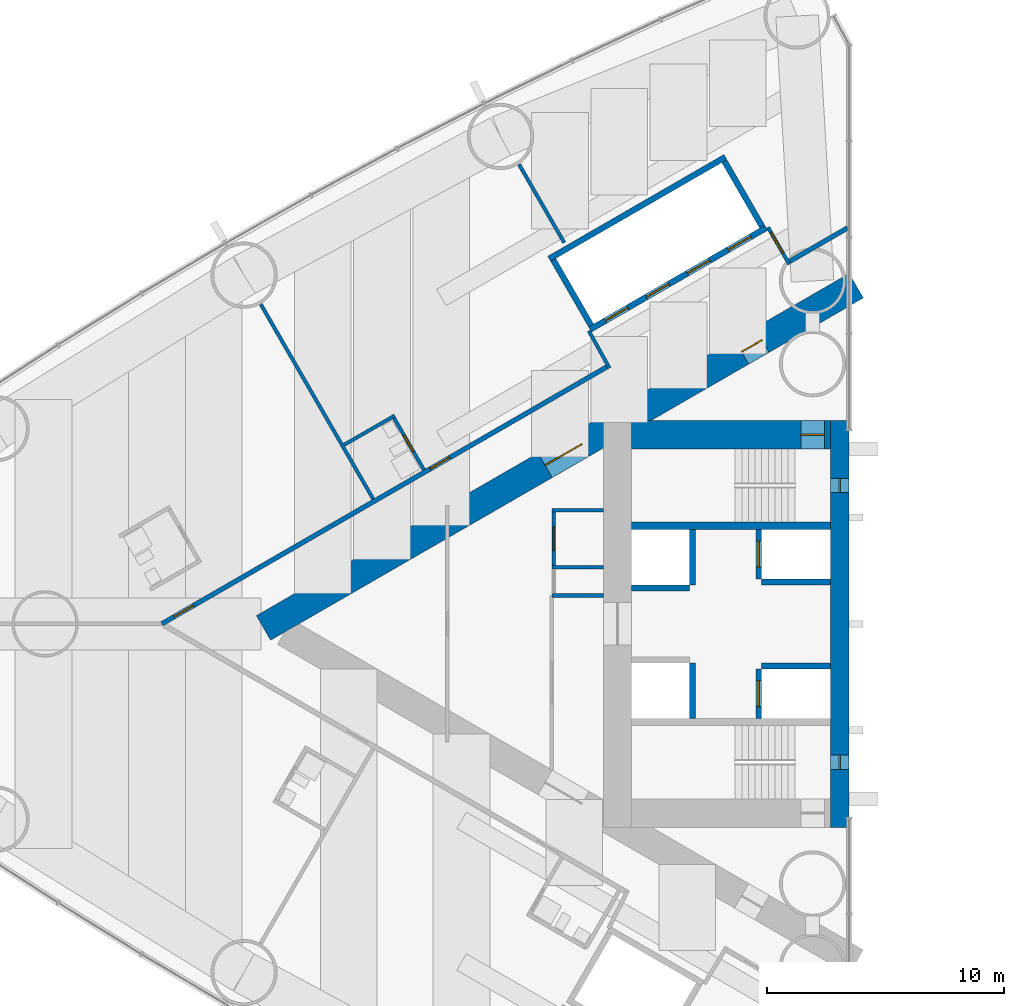
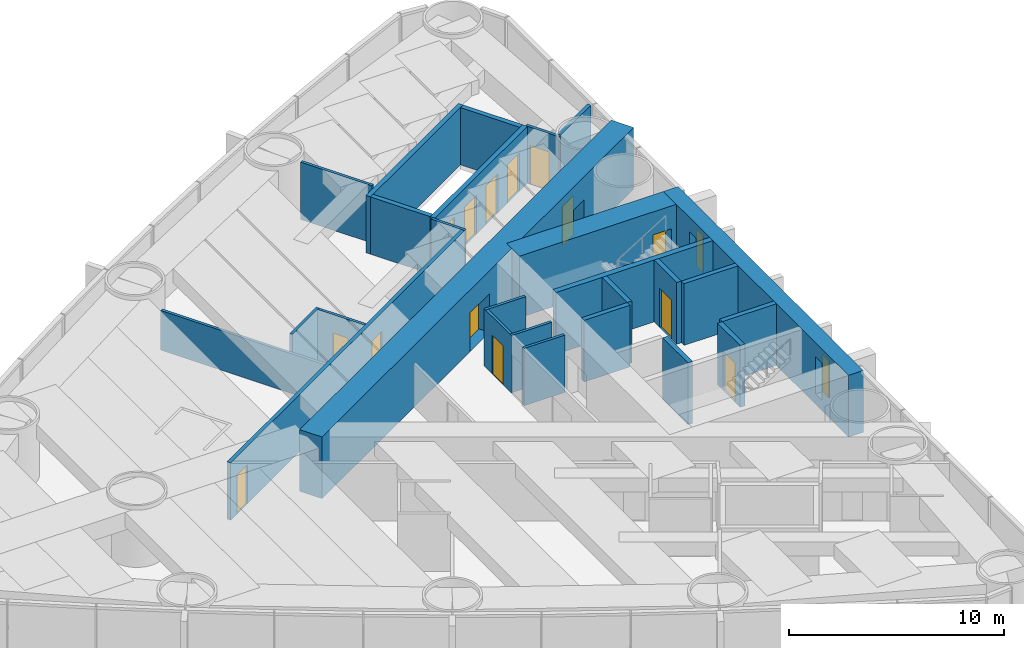
# One storey, part 12 of 18: 27 walls, 14 doors, 2 windows, 16 openings.
"""IFC4 building model written with IfcOpenShell, lengths in metres."""

from ifc_helpers import new_model, si_unit, direction, frame, frame_2d, origin, place, context, subcontext, project, spatial, rectangle, extrude, material, layer, layer_set, type_object, element, fill, save


model = new_model("IFC4")

# Units and contexts
model_context = context("Model", 3, precision=1e-05, world=origin(), true_north=direction((0.0, 1.0)))
body_context = subcontext(model_context, "Body", "Model", "MODEL_VIEW")
ifc_project = project(units=[si_unit("LENGTHUNIT", "METRE"), si_unit("AREAUNIT", "SQUARE_METRE"), si_unit("VOLUMEUNIT", "CUBIC_METRE"), si_unit("PLANEANGLEUNIT", "RADIAN"), si_unit("MASSUNIT", "GRAM", prefix="KILO")], contexts=[model_context])

# Site, building, storey
site_placement = place(None, origin())
site = spatial("IfcSite", under=ifc_project, at=site_placement, CompositionType="ELEMENT")
building_placement = place(site_placement, origin())
building = spatial("IfcBuilding", under=site, at=building_placement, Name="Lancet Gate Hotel", CompositionType="ELEMENT")
storey_placement = place(building_placement, frame((0.0, 0.0, 56.5)))
storey = spatial("IfcBuildingStorey", under=building, at=storey_placement, Name="L14", CompositionType="ELEMENT", Elevation=56.5)

# Wall
ifc_material_1 = material(Name="Moisture resistant board partition")
ifc_layer_1 = layer(ifc_material_1, 0.14990234375)
ifc_layer_set_1 = layer_set([ifc_layer_1], Name="Bathroom wall 150")
wall_type_1 = type_object("IfcWallType", Name="Bathroom wall 150", PredefinedType="PARTITIONING", material=ifc_layer_set_1)
wall_1_placement = place(storey_placement, frame((-46.718505859375, 8.804443359375, 0.0), z_axis=(0.0, 0.0, 1.0), x_axis=(-0.866006523861, -0.500032699561, 0.0)))
element("IfcWall", 1, at=wall_1_placement, inside=storey, type_object=wall_type_1, Name="T1 bathroom wall 150 L14", PredefinedType="PARTITIONING", context=body_context, shape_type="SweptSolid", body=[
    extrude(rectangle(XDim=2.474853515625, YDim=0.14990234375, at=frame_2d((1.2373046875, 0.0))), origin(), (0.0, 0.0, 1.0), 3.25),
])

# Wall, opening, door
wall_2_placement = place(storey_placement, frame((-45.4833984375, 6.515380859375, 0.0), z_axis=(0.0, 0.0, 1.0), x_axis=(-0.500006934395, 0.866021400173, 0.0)))
wall_2 = element("IfcWall", 2, at=wall_2_placement, inside=storey, type_object=wall_type_1, Name="T1 bathroom wall 150 L14", PredefinedType="PARTITIONING", context=body_context, shape_type="SweptSolid", body=[
    extrude(rectangle(XDim=2.60009765625, YDim=0.14990234375, at=frame_2d((1.300048828125, 0.0))), origin(), (0.0, 0.0, 1.0), 3.25),
])
opening_1_placement = place(wall_2_placement, frame((0.89990234375, 0.0, 0.0)))
opening_1 = element("IfcOpeningElement", 3, at=opening_1_placement, cuts=wall_2, Name="Opening 1402-B", PredefinedType="OPENING", context=body_context, shape_type="SweptSolid", body=[
    extrude(rectangle(XDim=0.800048828125, YDim=2.199951171875, at=frame_2d((0.39990234375, 1.10009765625))), frame((0.0, 0.0849609375, 0.0), z_axis=(0.0, -1.0, 0.0), x_axis=(1.0, 0.0, 0.0)), (0.0, 0.0, 1.0), 0.169921875),
])
ifc_material_2 = material(Name="Timber door set", Category="wood")
door_type_1 = type_object("IfcDoorType", Name="Bathroom door 800", OperationType="SINGLE_SWING_RIGHT", PredefinedType="DOOR", material=ifc_material_2)
door_1_placement = place(opening_1_placement, origin())
door_1 = element("IfcDoor", 4, at=door_1_placement, inside=storey, type_object=door_type_1, Name="1402-B", OperationType="SINGLE_SWING_RIGHT", OverallHeight=2.199951171875, OverallWidth=0.800048828125, PredefinedType="DOOR", context=body_context, shape_type="SweptSolid", body=[
    extrude(rectangle(XDim=0.800048828125, YDim=2.199951171875, at=frame_2d((0.39990234375, 1.10009765625))), frame((0.0, 0.02490234375, 0.0), z_axis=(0.0, -1.0, 0.0), x_axis=(1.0, 0.0, 0.0)), (0.0, 0.0, 1.0), 0.050048828125),
])
fill(opening_1, door_1)

# Wall, openings, doors
ifc_material_3 = material(Name="Concrete C70/85", Category="concrete")
ifc_layer_2 = layer(ifc_material_3, 1.199951171875)
ifc_layer_set_2 = layer_set([ifc_layer_2], Name="Buttress wall 1200")
wall_type_2 = type_object("IfcWallType", Name="Buttress wall 1200", PredefinedType="SHEAR", material=ifc_layer_set_2)
wall_3_placement = place(storey_placement, frame((-27.199951171875, 14.300048828125, 0.0), z_axis=(0.0, 0.0, 1.0), x_axis=(-0.866026593062, -0.499997940104, 0.0)))
wall_3 = element("IfcWall", 5, at=wall_3_placement, inside=storey, type_object=wall_type_2, Name="T1 buttress wall S L14", PredefinedType="SHEAR", context=body_context, shape_type="SweptSolid", body=[
    extrude(rectangle(XDim=28.9462890625, YDim=1.199951171875, at=frame_2d((14.47314453125, 0.0))), origin(), (0.0, 0.0, 1.0), 3.5),
])
opening_2_placement = place(wall_3_placement, frame((4.60009765625, 0.0, 0.0)))
opening_2 = element("IfcOpeningElement", 6, at=opening_2_placement, cuts=wall_3, Name="Opening T1-L14-LS", PredefinedType="OPENING", context=body_context, shape_type="SweptSolid", body=[
    extrude(rectangle(XDim=1.0, YDim=2.199951171875, at=frame_2d((0.5, 1.10009765625))), frame((0.0, 0.60986328125, 0.0), z_axis=(0.0, -1.0, 0.0), x_axis=(1.0, 0.0, 0.0)), (0.0, 0.0, 1.0), 1.219970703125),
])
opening_3_placement = place(wall_3_placement, frame((13.39453125, 0.0, 0.0)))
opening_3 = element("IfcOpeningElement", 7, at=opening_3_placement, cuts=wall_3, Name="Opening T1-L14-LHS", PredefinedType="OPENING", context=body_context, shape_type="SweptSolid", body=[
    extrude(rectangle(XDim=1.800048828125, YDim=2.199951171875, at=frame_2d((0.89990234375, 1.10009765625))), frame((0.0, 0.60986328125, 0.0), z_axis=(0.0, -1.0, 0.0), x_axis=(1.0, 0.0, 0.0)), (0.0, 0.0, 1.0), 1.219970703125),
])
ifc_material_4 = material(Name="Timber door set", Category="wood")
door_type_2 = type_object("IfcDoorType", Name="Lobby double door 1800", OperationType="DOUBLE_DOOR_SINGLE_SWING", PredefinedType="DOOR", material=ifc_material_4)
door_2_placement = place(opening_3_placement, origin())
door_2 = element("IfcDoor", 8, at=door_2_placement, inside=storey, type_object=door_type_2, Name="T1-L14-LHS", OperationType="DOUBLE_DOOR_SINGLE_SWING", OverallHeight=2.199951171875, OverallWidth=1.800048828125, PredefinedType="DOOR", context=body_context, shape_type="SweptSolid", body=[
    extrude(rectangle(XDim=1.800048828125, YDim=2.199951171875, at=frame_2d((0.89990234375, 1.10009765625))), frame((0.0, 0.02490234375, 0.0), z_axis=(0.0, -1.0, 0.0), x_axis=(1.0, 0.0, 0.0)), (0.0, 0.0, 1.0), 0.050048828125),
])
fill(opening_3, door_2)
ifc_material_5 = material(Name="Timber door set", Category="wood")
door_type_3 = type_object("IfcDoorType", Name="Stair lobby door 1000", OperationType="SINGLE_SWING_LEFT", PredefinedType="DOOR", material=ifc_material_5)
door_3_placement = place(opening_2_placement, origin())
door_3 = element("IfcDoor", 9, at=door_3_placement, inside=storey, type_object=door_type_3, Name="T1-L14-LS", OperationType="SINGLE_SWING_LEFT", OverallHeight=2.199951171875, OverallWidth=1.0, PredefinedType="DOOR", context=body_context, shape_type="SweptSolid", body=[
    extrude(rectangle(XDim=1.0, YDim=2.199951171875, at=frame_2d((0.5, 1.10009765625))), frame((0.0, 0.02490234375, 0.0), z_axis=(0.0, -1.0, 0.0), x_axis=(1.0, 0.0, 0.0)), (0.0, 0.0, 1.0), 0.050048828125),
])
fill(opening_2, door_3)

# Wall, opening, door
ifc_material_6 = material(Name="Concrete C70/85", Category="concrete")
ifc_layer_3 = layer(ifc_material_6, 1.199951171875)
ifc_layer_set_3 = layer_set([ifc_layer_3], Name="Core wall 1200")
wall_type_3 = type_object("IfcWallType", Name="Core wall 1200", PredefinedType="SHEAR", material=ifc_layer_set_3)
wall_4_placement = place(storey_placement, frame((-28.300048828125, 8.0, 0.0), z_axis=(0.0, 0.0, 1.0), x_axis=(-1.0, 0.0, 0.0)))
wall_4 = element("IfcWall", 10, at=wall_4_placement, inside=storey, type_object=wall_type_3, Name="T1 core wall side-S L14", PredefinedType="SHEAR", context=body_context, shape_type="SweptSolid", body=[
    extrude(rectangle(XDim=8.39990234375, YDim=1.199951171875, at=frame_2d((4.199951171875, 0.0))), origin(), (0.0, 0.0, 1.0), 3.5),
])
opening_4_placement = place(wall_4_placement, frame((0.25, 0.0, 0.0)))
opening_4 = element("IfcOpeningElement", 11, at=opening_4_placement, cuts=wall_4, Name="Opening T1-L14-ST1", PredefinedType="OPENING", context=body_context, shape_type="SweptSolid", body=[
    extrude(rectangle(XDim=1.0, YDim=2.199951171875, at=frame_2d((0.5, 1.10009765625))), frame((0.0, 0.60986328125, 0.0), z_axis=(0.0, -1.0, 0.0), x_axis=(1.0, 0.0, 0.0)), (0.0, 0.0, 1.0), 1.219970703125),
])
ifc_material_7 = material(Name="Timber door set", Category="wood")
door_type_4 = type_object("IfcDoorType", Name="Stair door 1000", OperationType="SINGLE_SWING_RIGHT", PredefinedType="DOOR", material=ifc_material_7)
door_4_placement = place(opening_4_placement, origin())
door_4 = element("IfcDoor", 12, at=door_4_placement, inside=storey, type_object=door_type_4, Name="T1-L14-ST1", OperationType="SINGLE_SWING_RIGHT", OverallHeight=2.199951171875, OverallWidth=1.0, PredefinedType="DOOR", context=body_context, shape_type="SweptSolid", body=[
    extrude(rectangle(XDim=1.0, YDim=2.199951171875, at=frame_2d((0.5, 1.10009765625))), frame((0.0, 0.02490234375, 0.0), z_axis=(0.0, -1.0, 0.0), x_axis=(1.0, 0.0, 0.0)), (0.0, 0.0, 1.0), 0.050048828125),
])
fill(opening_4, door_4)

# Wall, openings, windows
ifc_material_8 = material(Name="Concrete C70/85", Category="concrete")
ifc_layer_4 = layer(ifc_material_8, 0.800048828125)
ifc_layer_set_4 = layer_set([ifc_layer_4], Name="Core wall 800")
wall_type_4 = type_object("IfcWallType", Name="Core wall 800", PredefinedType="SHEAR", material=ifc_layer_set_4)
wall_5_placement = place(storey_placement, frame((-27.89990234375, 8.60009765625, 0.0), z_axis=(0.0, 0.0, 1.0), x_axis=(0.0, -1.0, 0.0)))
wall_5 = element("IfcWall", 13, at=wall_5_placement, inside=storey, type_object=wall_type_4, Name="T1 core wall front L14", PredefinedType="SHEAR", context=body_context, shape_type="SweptSolid", body=[
    extrude(rectangle(XDim=17.2001953125, YDim=0.800048828125, at=frame_2d((8.60009765625, 0.0))), origin(), (0.0, 0.0, 1.0), 3.5),
])
opening_5_placement = place(wall_5_placement, frame((2.449951171875, 0.0, 0.60009765625)))
opening_5 = element("IfcOpeningElement", 14, at=opening_5_placement, cuts=wall_5, Name="Opening LW1", PredefinedType="OPENING", context=body_context, shape_type="SweptSolid", body=[
    extrude(rectangle(XDim=0.60009765625, YDim=2.10009765625, at=frame_2d((0.300048828125, 1.050048828125))), frame((0.0, 0.409912109375, 0.0), z_axis=(0.0, -1.0, 0.0), x_axis=(1.0, 0.0, 0.0)), (0.0, 0.0, 1.0), 0.820068359375),
])
opening_6_placement = place(wall_5_placement, frame((14.14990234375, 0.0, 0.60009765625)))
opening_6 = element("IfcOpeningElement", 15, at=opening_6_placement, cuts=wall_5, Name="Opening LW1", PredefinedType="OPENING", context=body_context, shape_type="SweptSolid", body=[
    extrude(rectangle(XDim=0.60009765625, YDim=2.10009765625, at=frame_2d((0.300048828125, 1.050048828125))), frame((0.0, 0.409912109375, 0.0), z_axis=(0.0, -1.0, 0.0), x_axis=(1.0, 0.0, 0.0)), (0.0, 0.0, 1.0), 0.820068359375),
])
ifc_material_9 = material(Name="Fire-resisting glazed steel window", Category="steel")
window_type = type_object("IfcWindowType", Name="Lancet window 600x2100", PartitioningType="SINGLE_PANEL", PredefinedType="WINDOW", material=ifc_material_9)
window_1_placement = place(opening_5_placement, origin())
window_1 = element("IfcWindow", 16, at=window_1_placement, inside=storey, type_object=window_type, Name="T1 stair window S L14", OverallHeight=2.10009765625, OverallWidth=0.60009765625, PartitioningType="SINGLE_PANEL", PredefinedType="WINDOW", context=body_context, shape_type="SweptSolid", body=[
    extrude(rectangle(XDim=0.60009765625, YDim=2.10009765625, at=frame_2d((0.300048828125, 1.050048828125))), frame((0.0, 0.030029296875, 0.0), z_axis=(0.0, -1.0, 0.0), x_axis=(1.0, 0.0, 0.0)), (0.0, 0.0, 1.0), 0.06005859375),
])
fill(opening_5, window_1)
window_2_placement = place(opening_6_placement, origin())
window_2 = element("IfcWindow", 17, at=window_2_placement, inside=storey, type_object=window_type, Name="T1 stair window N L14", OverallHeight=2.10009765625, OverallWidth=0.60009765625, PartitioningType="SINGLE_PANEL", PredefinedType="WINDOW", context=body_context, shape_type="SweptSolid", body=[
    extrude(rectangle(XDim=0.60009765625, YDim=2.10009765625, at=frame_2d((0.300048828125, 1.050048828125))), frame((0.0, 0.030029296875, 0.0), z_axis=(0.0, -1.0, 0.0), x_axis=(1.0, 0.0, 0.0)), (0.0, 0.0, 1.0), 0.06005859375),
])
fill(opening_6, window_2)

# Wall
ifc_material_10 = material(Name="Gypsum board partition")
ifc_layer_5 = layer(ifc_material_10, 0.199951171875)
ifc_layer_set_5 = layer_set([ifc_layer_5], Name="Corridor wall 200")
wall_type_5 = type_object("IfcWallType", Name="Corridor wall 200", PredefinedType="PARTITIONING", material=ifc_layer_set_5)
wall_6_placement = place(storey_placement, frame((-27.572021484375, 16.740966796875, 0.0), z_axis=(0.0, 0.0, 1.0), x_axis=(-0.866034618596, -0.499984039138, 0.0)))
element("IfcWall", 18, at=wall_6_placement, inside=storey, type_object=wall_type_5, Name="T1 corridor wall 200 L14", PredefinedType="PARTITIONING", context=body_context, shape_type="SweptSolid", body=[
    extrude(rectangle(XDim=2.8544921875, YDim=0.199951171875, at=frame_2d((1.42724609375, 0.0))), origin(), (0.0, 0.0, 1.0), 3.25),
])

# Wall, openings, doors
wall_7_placement = place(storey_placement, frame((-37.699951171875, 10.8935546875, 0.0), z_axis=(0.0, 0.0, 1.0), x_axis=(-0.866027905338, -0.499995667157, 0.0)))
wall_7 = element("IfcWall", 19, at=wall_7_placement, inside=storey, type_object=wall_type_5, Name="T1 corridor wall 200 L14", PredefinedType="PARTITIONING", context=body_context, shape_type="SweptSolid", body=[
    extrude(rectangle(XDim=21.787353515625, YDim=0.199951171875, at=frame_2d((10.8935546875, 0.0))), origin(), (0.0, 0.0, 1.0), 3.25),
])
opening_7_placement = place(wall_7_placement, frame((20.237060546875, 0.0, 0.0)))
opening_7 = element("IfcOpeningElement", 20, at=opening_7_placement, cuts=wall_7, Name="Opening 1403-E", PredefinedType="OPENING", context=body_context, shape_type="SweptSolid", body=[
    extrude(rectangle(XDim=0.949951171875, YDim=2.199951171875, at=frame_2d((0.47509765625, 1.10009765625))), frame((0.0, 0.10986328125, 0.0), z_axis=(0.0, -1.0, 0.0), x_axis=(1.0, 0.0, 0.0)), (0.0, 0.0, 1.0), 0.219970703125),
])
opening_8_placement = place(wall_7_placement, frame((7.729736328125, 0.0, 0.0)))
opening_8 = element("IfcOpeningElement", 21, at=opening_8_placement, cuts=wall_7, Name="Opening 1402-E", PredefinedType="OPENING", context=body_context, shape_type="SweptSolid", body=[
    extrude(rectangle(XDim=0.949951171875, YDim=2.199951171875, at=frame_2d((0.47509765625, 1.10009765625))), frame((0.0, 0.10986328125, 0.0), z_axis=(0.0, -1.0, 0.0), x_axis=(1.0, 0.0, 0.0)), (0.0, 0.0, 1.0), 0.219970703125),
])
ifc_material_11 = material(Name="Timber door set", Category="wood")
door_type_5 = type_object("IfcDoorType", Name="Guest room entry door 950", OperationType="SINGLE_SWING_LEFT", PredefinedType="DOOR", material=ifc_material_11)
door_5_placement = place(opening_7_placement, origin())
door_5 = element("IfcDoor", 22, at=door_5_placement, inside=storey, type_object=door_type_5, Name="1403-E", OperationType="SINGLE_SWING_LEFT", OverallHeight=2.199951171875, OverallWidth=0.949951171875, PredefinedType="DOOR", context=body_context, shape_type="SweptSolid", body=[
    extrude(rectangle(XDim=0.949951171875, YDim=2.199951171875, at=frame_2d((0.47509765625, 1.10009765625))), frame((0.0, 0.02490234375, 0.0), z_axis=(0.0, -1.0, 0.0), x_axis=(1.0, 0.0, 0.0)), (0.0, 0.0, 1.0), 0.050048828125),
])
fill(opening_7, door_5)
door_6_placement = place(opening_8_placement, origin())
door_6 = element("IfcDoor", 23, at=door_6_placement, inside=storey, type_object=door_type_5, Name="1402-E", OperationType="SINGLE_SWING_LEFT", OverallHeight=2.199951171875, OverallWidth=0.949951171875, PredefinedType="DOOR", context=body_context, shape_type="SweptSolid", body=[
    extrude(rectangle(XDim=0.949951171875, YDim=2.199951171875, at=frame_2d((0.47509765625, 1.10009765625))), frame((0.0, 0.02490234375, 0.0), z_axis=(0.0, -1.0, 0.0), x_axis=(1.0, 0.0, 0.0)), (0.0, 0.0, 1.0), 0.050048828125),
])
fill(opening_8, door_6)

ifc_material_12 = material(Name="Gypsum board partition")
ifc_layer_6 = layer(ifc_material_12, 0.25)
ifc_layer_set_6 = layer_set([ifc_layer_6], Name="Lift shaft partition 250")
wall_type_6 = type_object("IfcWallType", Name="Lift shaft partition 250", PredefinedType="PARTITIONING", material=ifc_layer_set_6)
wall_8_placement = place(storey_placement, frame((-31.010498046875, 16.747314453125, 0.0), z_axis=(0.0, 0.0, 1.0), x_axis=(-0.866028165386, -0.499995216735, 0.0)))
wall_8 = element("IfcWall", 24, at=wall_8_placement, inside=storey, type_object=wall_type_6, Name="T1 lift shaft wall LR L14", PredefinedType="PARTITIONING", context=body_context, shape_type="SweptSolid", body=[
    extrude(rectangle(XDim=8.60009765625, YDim=0.25, at=frame_2d((4.300048828125, 0.0))), origin(), (0.0, 0.0, 1.0), 3.25),
])
opening_9_placement = place(wall_8_placement, frame((0.75, 0.0, 0.0)))
opening_9 = element("IfcOpeningElement", 25, at=opening_9_placement, cuts=wall_8, Name="Opening T1-LR1-L14", PredefinedType="OPENING", context=body_context, shape_type="SweptSolid", body=[
    extrude(rectangle(XDim=1.10009765625, YDim=2.199951171875, at=frame_2d((0.550048828125, 1.10009765625))), frame((0.0, 0.135009765625, 0.0), z_axis=(0.0, -1.0, 0.0), x_axis=(1.0, 0.0, 0.0)), (0.0, 0.0, 1.0), 0.27001953125),
])
opening_10_placement = place(wall_8_placement, frame((2.75, 0.0, 0.0)))
opening_10 = element("IfcOpeningElement", 26, at=opening_10_placement, cuts=wall_8, Name="Opening T1-LR2-L14", PredefinedType="OPENING", context=body_context, shape_type="SweptSolid", body=[
    extrude(rectangle(XDim=1.10009765625, YDim=2.199951171875, at=frame_2d((0.550048828125, 1.10009765625))), frame((0.0, 0.135009765625, 0.0), z_axis=(0.0, -1.0, 0.0), x_axis=(1.0, 0.0, 0.0)), (0.0, 0.0, 1.0), 0.27001953125),
])
opening_11_placement = place(wall_8_placement, frame((4.75, 0.0, 0.0)))
opening_11 = element("IfcOpeningElement", 27, at=opening_11_placement, cuts=wall_8, Name="Opening T1-LR3-L14", PredefinedType="OPENING", context=body_context, shape_type="SweptSolid", body=[
    extrude(rectangle(XDim=1.10009765625, YDim=2.199951171875, at=frame_2d((0.550048828125, 1.10009765625))), frame((0.0, 0.135009765625, 0.0), z_axis=(0.0, -1.0, 0.0), x_axis=(1.0, 0.0, 0.0)), (0.0, 0.0, 1.0), 0.27001953125),
])
opening_12_placement = place(wall_8_placement, frame((6.75, 0.0, 0.0)))
opening_12 = element("IfcOpeningElement", 28, at=opening_12_placement, cuts=wall_8, Name="Opening T1-LR4-L14", PredefinedType="OPENING", context=body_context, shape_type="SweptSolid", body=[
    extrude(rectangle(XDim=1.10009765625, YDim=2.199951171875, at=frame_2d((0.550048828125, 1.10009765625))), frame((0.0, 0.135009765625, 0.0), z_axis=(0.0, -1.0, 0.0), x_axis=(1.0, 0.0, 0.0)), (0.0, 0.0, 1.0), 0.27001953125),
])
ifc_material_13 = material(Name="Steel door set", Category="steel")
door_type_6 = type_object("IfcDoorType", Name="Lift landing door 1100", OperationType="DOUBLE_DOOR_SLIDING", PredefinedType="USERDEFINED", material=ifc_material_13)
door_7_placement = place(opening_9_placement, origin())
door_7 = element("IfcDoor", 29, at=door_7_placement, inside=storey, type_object=door_type_6, Name="T1-LR1-L14", ObjectType="LIFT LANDING DOOR", OperationType="DOUBLE_DOOR_SLIDING", OverallHeight=2.199951171875, OverallWidth=1.10009765625, PredefinedType="USERDEFINED", context=body_context, shape_type="SweptSolid", body=[
    extrude(rectangle(XDim=1.10009765625, YDim=2.199951171875, at=frame_2d((0.550048828125, 1.10009765625))), frame((0.0, 0.02490234375, 0.0), z_axis=(0.0, -1.0, 0.0), x_axis=(1.0, 0.0, 0.0)), (0.0, 0.0, 1.0), 0.050048828125),
])
fill(opening_9, door_7)
door_8_placement = place(opening_10_placement, origin())
door_8 = element("IfcDoor", 30, at=door_8_placement, inside=storey, type_object=door_type_6, Name="T1-LR2-L14", ObjectType="LIFT LANDING DOOR", OperationType="DOUBLE_DOOR_SLIDING", OverallHeight=2.199951171875, OverallWidth=1.10009765625, PredefinedType="USERDEFINED", context=body_context, shape_type="SweptSolid", body=[
    extrude(rectangle(XDim=1.10009765625, YDim=2.199951171875, at=frame_2d((0.550048828125, 1.10009765625))), frame((0.0, 0.02490234375, 0.0), z_axis=(0.0, -1.0, 0.0), x_axis=(1.0, 0.0, 0.0)), (0.0, 0.0, 1.0), 0.050048828125),
])
fill(opening_10, door_8)
door_9_placement = place(opening_11_placement, origin())
door_9 = element("IfcDoor", 31, at=door_9_placement, inside=storey, type_object=door_type_6, Name="T1-LR3-L14", ObjectType="LIFT LANDING DOOR", OperationType="DOUBLE_DOOR_SLIDING", OverallHeight=2.199951171875, OverallWidth=1.10009765625, PredefinedType="USERDEFINED", context=body_context, shape_type="SweptSolid", body=[
    extrude(rectangle(XDim=1.10009765625, YDim=2.199951171875, at=frame_2d((0.550048828125, 1.10009765625))), frame((0.0, 0.02490234375, 0.0), z_axis=(0.0, -1.0, 0.0), x_axis=(1.0, 0.0, 0.0)), (0.0, 0.0, 1.0), 0.050048828125),
])
fill(opening_11, door_9)
door_10_placement = place(opening_12_placement, origin())
door_10 = element("IfcDoor", 32, at=door_10_placement, inside=storey, type_object=door_type_6, Name="T1-LR4-L14", ObjectType="LIFT LANDING DOOR", OperationType="DOUBLE_DOOR_SLIDING", OverallHeight=2.199951171875, OverallWidth=1.10009765625, PredefinedType="USERDEFINED", context=body_context, shape_type="SweptSolid", body=[
    extrude(rectangle(XDim=1.10009765625, YDim=2.199951171875, at=frame_2d((0.550048828125, 1.10009765625))), frame((0.0, 0.02490234375, 0.0), z_axis=(0.0, -1.0, 0.0), x_axis=(1.0, 0.0, 0.0)), (0.0, 0.0, 1.0), 0.050048828125),
])
fill(opening_12, door_10)

# Walls
wall_9_placement = place(storey_placement, frame((-32.735595703125, 19.73583984375, 0.0), z_axis=(0.0, 0.0, 1.0), x_axis=(-0.866028165386, -0.499995216735, 0.0)))
element("IfcWall", 33, at=wall_9_placement, inside=storey, type_object=wall_type_6, Name="T1 lift shaft wall LR L14", PredefinedType="PARTITIONING", context=body_context, shape_type="SweptSolid", body=[
    extrude(rectangle(XDim=8.60009765625, YDim=0.25, at=frame_2d((4.300048828125, 0.0))), origin(), (0.0, 0.0, 1.0), 3.25),
])
wall_10_placement = place(storey_placement, frame((-31.18115234375, 16.79296875, 0.0), z_axis=(0.0, 0.0, 1.0), x_axis=(-0.499929347863, 0.866066190972, 0.0)))
element("IfcWall", 34, at=wall_10_placement, inside=storey, type_object=wall_type_6, Name="T1 lift shaft wall LR L14", PredefinedType="PARTITIONING", context=body_context, shape_type="SweptSolid", body=[
    extrude(rectangle(XDim=3.20068359375, YDim=0.25, at=frame_2d((1.600341796875, 0.0))), origin(), (0.0, 0.0, 1.0), 3.25),
])
wall_11_placement = place(storey_placement, frame((-38.412841796875, 12.617919921875, 0.0), z_axis=(0.0, 0.0, 1.0), x_axis=(-0.499872130319, 0.866099216793, 0.0)))
element("IfcWall", 35, at=wall_11_placement, inside=storey, type_object=wall_type_6, Name="T1 lift shaft wall LR L14", PredefinedType="PARTITIONING", context=body_context, shape_type="SweptSolid", body=[
    extrude(rectangle(XDim=3.200439453125, YDim=0.25, at=frame_2d((1.60009765625, 0.0))), origin(), (0.0, 0.0, 1.0), 3.25),
])

# Wall, opening, door
ifc_material_14 = material(Name="Concrete C50/60", Category="concrete")
ifc_layer_7 = layer(ifc_material_14, 0.25)
ifc_layer_set_7 = layer_set([ifc_layer_7], Name="Lift shaft wall 250")
wall_type_7 = type_object("IfcWallType", Name="Lift shaft wall 250", PredefinedType="SHEAR", material=ifc_layer_set_7)
wall_12_placement = place(storey_placement, frame((-31.324951171875, 4.0, 0.0), z_axis=(0.0, 0.0, 1.0), x_axis=(0.0, -1.0, 0.0)))
wall_12 = element("IfcWall", 36, at=wall_12_placement, inside=storey, type_object=wall_type_7, Name="T1 core wall row1-S L14", PredefinedType="SHEAR", context=body_context, shape_type="SweptSolid", body=[
    extrude(rectangle(XDim=2.10009765625, YDim=0.25, at=frame_2d((1.050048828125, 0.0))), origin(), (0.0, 0.0, 1.0), 3.5),
])
opening_13_placement = place(wall_12_placement, frame((0.5, 0.0, 0.0)))
opening_13 = element("IfcOpeningElement", 37, at=opening_13_placement, cuts=wall_12, Name="Opening T1-SL1-L14", PredefinedType="OPENING", context=body_context, shape_type="SweptSolid", body=[
    extrude(rectangle(XDim=1.10009765625, YDim=2.199951171875, at=frame_2d((0.550048828125, 1.10009765625))), frame((0.0, 0.135009765625, 0.0), z_axis=(0.0, -1.0, 0.0), x_axis=(1.0, 0.0, 0.0)), (0.0, 0.0, 1.0), 0.27001953125),
])
ifc_material_15 = material(Name="Timber door set", Category="wood")
door_type_7 = type_object("IfcDoorType", Name="Service lift landing door 1100", OperationType="SLIDING_TO_LEFT", PredefinedType="USERDEFINED", material=ifc_material_15)
door_11_placement = place(opening_13_placement, origin())
door_11 = element("IfcDoor", 38, at=door_11_placement, inside=storey, type_object=door_type_7, Name="T1-SL1-L14", ObjectType="LIFT LANDING DOOR", OperationType="SLIDING_TO_LEFT", OverallHeight=2.199951171875, OverallWidth=1.10009765625, PredefinedType="USERDEFINED", context=body_context, shape_type="SweptSolid", body=[
    extrude(rectangle(XDim=1.10009765625, YDim=2.199951171875, at=frame_2d((0.550048828125, 1.10009765625))), frame((0.0, 0.02490234375, 0.0), z_axis=(0.0, -1.0, 0.0), x_axis=(1.0, 0.0, 0.0)), (0.0, 0.0, 1.0), 0.050048828125),
])
fill(opening_13, door_11)

# Walls
wall_13_placement = place(storey_placement, frame((-34.125, 4.0, 0.0), z_axis=(0.0, 0.0, 1.0), x_axis=(0.0, -1.0, 0.0)))
element("IfcWall", 39, at=wall_13_placement, inside=storey, type_object=wall_type_7, Name="T1 core wall row2-S L14", PredefinedType="SHEAR", context=body_context, shape_type="SweptSolid", body=[
    extrude(rectangle(XDim=2.35009765625, YDim=0.25, at=frame_2d((1.175048828125, 0.0))), origin(), (0.0, 0.0, 1.0), 3.5),
])
wall_14_placement = place(storey_placement, frame((-28.300048828125, 1.77490234375, 0.0), z_axis=(0.0, 0.0, 1.0), x_axis=(-1.0, 0.0, 0.0)))
element("IfcWall", 40, at=wall_14_placement, inside=storey, type_object=wall_type_7, Name="T1 core wall pass1-S L14", PredefinedType="SHEAR", context=body_context, shape_type="SweptSolid", body=[
    extrude(rectangle(XDim=2.89990234375, YDim=0.25, at=frame_2d((1.449951171875, 0.0))), origin(), (0.0, 0.0, 1.0), 3.5),
])
wall_15_placement = place(storey_placement, frame((-34.25, 1.52490234375, 0.0), z_axis=(0.0, 0.0, 1.0), x_axis=(-1.0, 0.0, 0.0)))
element("IfcWall", 41, at=wall_15_placement, inside=storey, type_object=wall_type_7, Name="T1 core wall pass2-S L14", PredefinedType="SHEAR", context=body_context, shape_type="SweptSolid", body=[
    extrude(rectangle(XDim=2.449951171875, YDim=0.25, at=frame_2d((1.22509765625, 0.0))), origin(), (0.0, 0.0, 1.0), 3.5),
])

# Wall, opening, door
wall_16_placement = place(storey_placement, frame((-31.324951171875, -1.89990234375, 0.0), z_axis=(0.0, 0.0, 1.0), x_axis=(0.0, -1.0, 0.0)))
wall_16 = element("IfcWall", 42, at=wall_16_placement, inside=storey, type_object=wall_type_7, Name="T1 core wall row1-N L14", PredefinedType="SHEAR", context=body_context, shape_type="SweptSolid", body=[
    extrude(rectangle(XDim=2.10009765625, YDim=0.25, at=frame_2d((1.050048828125, 0.0))), origin(), (0.0, 0.0, 1.0), 3.5),
])
opening_14_placement = place(wall_16_placement, frame((0.5, 0.0, 0.0)))
opening_14 = element("IfcOpeningElement", 43, at=opening_14_placement, cuts=wall_16, Name="Opening T1-FL2-L14", PredefinedType="OPENING", context=body_context, shape_type="SweptSolid", body=[
    extrude(rectangle(XDim=1.10009765625, YDim=2.199951171875, at=frame_2d((0.550048828125, 1.10009765625))), frame((0.0, 0.135009765625, 0.0), z_axis=(0.0, -1.0, 0.0), x_axis=(1.0, 0.0, 0.0)), (0.0, 0.0, 1.0), 0.27001953125),
])
ifc_material_16 = material(Name="Steel door set", Category="steel")
door_type_8 = type_object("IfcDoorType", Name="Firefighting lift landing door 1100", OperationType="SLIDING_TO_LEFT", PredefinedType="USERDEFINED", material=ifc_material_16)
door_12_placement = place(opening_14_placement, origin())
door_12 = element("IfcDoor", 44, at=door_12_placement, inside=storey, type_object=door_type_8, Name="T1-FL2-L14", ObjectType="LIFT LANDING DOOR", OperationType="SLIDING_TO_LEFT", OverallHeight=2.199951171875, OverallWidth=1.10009765625, PredefinedType="USERDEFINED", context=body_context, shape_type="SweptSolid", body=[
    extrude(rectangle(XDim=1.10009765625, YDim=2.199951171875, at=frame_2d((0.550048828125, 1.10009765625))), frame((0.0, 0.02490234375, 0.0), z_axis=(0.0, -1.0, 0.0), x_axis=(1.0, 0.0, 0.0)), (0.0, 0.0, 1.0), 0.050048828125),
])
fill(opening_14, door_12)

# Walls
wall_17_placement = place(storey_placement, frame((-34.125, -1.64990234375, 0.0), z_axis=(0.0, 0.0, 1.0), x_axis=(0.0, -1.0, 0.0)))
element("IfcWall", 45, at=wall_17_placement, inside=storey, type_object=wall_type_7, Name="T1 core wall row2-N L14", PredefinedType="SHEAR", context=body_context, shape_type="SweptSolid", body=[
    extrude(rectangle(XDim=2.35009765625, YDim=0.25, at=frame_2d((1.175048828125, 0.0))), origin(), (0.0, 0.0, 1.0), 3.5),
])
wall_18_placement = place(storey_placement, frame((-28.300048828125, -1.77490234375, 0.0), z_axis=(0.0, 0.0, 1.0), x_axis=(-1.0, 0.0, 0.0)))
element("IfcWall", 46, at=wall_18_placement, inside=storey, type_object=wall_type_7, Name="T1 core wall pass1-N L14", PredefinedType="SHEAR", context=body_context, shape_type="SweptSolid", body=[
    extrude(rectangle(XDim=2.89990234375, YDim=0.25, at=frame_2d((1.449951171875, 0.0))), origin(), (0.0, 0.0, 1.0), 3.5),
])
ifc_material_17 = material(Name="Gypsum board partition")
ifc_layer_8 = layer(ifc_material_17, 0.14990234375)
ifc_layer_set_8 = layer_set([ifc_layer_8], Name="Party wall 150")
wall_type_8 = type_object("IfcWallType", Name="Party wall 150", PredefinedType="PARTITIONING", material=ifc_layer_set_8)
wall_19_placement = place(storey_placement, frame((-47.626708984375, 5.27783203125, 0.0), z_axis=(0.0, 0.0, 1.0), x_axis=(-0.500009844318, 0.86601972009, 0.0)))
element("IfcWall", 47, at=wall_19_placement, inside=storey, type_object=wall_type_8, Name="T1 party wall 150 L14", PredefinedType="PARTITIONING", context=body_context, shape_type="SweptSolid", body=[
    extrude(rectangle(XDim=9.510498046875, YDim=0.14990234375, at=frame_2d((4.75537109375, 0.0))), origin(), (0.0, 0.0, 1.0), 2.25),
])
wall_20_placement = place(storey_placement, frame((-39.55078125, 16.11865234375, 0.0), z_axis=(0.0, 0.0, 1.0), x_axis=(-0.500014214979, 0.866017196607, 0.0)))
element("IfcWall", 48, at=wall_20_placement, inside=storey, type_object=wall_type_8, Name="T1 party wall 150 L14", PredefinedType="PARTITIONING", context=body_context, shape_type="SweptSolid", body=[
    extrude(rectangle(XDim=3.81494140625, YDim=0.14990234375, at=frame_2d((1.907470703125, 0.0))), origin(), (0.0, 0.0, 1.0), 3.25),
])
ifc_material_18 = material(Name="Gypsum board partition")
ifc_layer_9 = layer(ifc_material_18, 0.14990234375)
ifc_layer_set_9 = layer_set([ifc_layer_9], Name="Service room wall 150")
wall_type_9 = type_object("IfcWallType", Name="Service room wall 150", PredefinedType="PARTITIONING", material=ifc_layer_set_9)
wall_21_placement = place(storey_placement, frame((-38.513427734375, 12.392333984375, 0.0), z_axis=(0.0, 0.0, 1.0), x_axis=(0.485585508183, -0.874189175317, 0.0)))
element("IfcWall", 49, at=wall_21_placement, inside=storey, type_object=wall_type_9, Name="T1 service room wall 150 L14", PredefinedType="PARTITIONING", context=body_context, shape_type="SweptSolid", body=[
    extrude(rectangle(XDim=1.804931640625, YDim=0.14990234375, at=frame_2d((0.90234375, 0.0))), origin(), (0.0, 0.0, 1.0), 3.25),
])

# Wall, opening, door
wall_22_placement = place(storey_placement, frame((-30.033203125, 15.20458984375, 0.0), z_axis=(0.0, 0.0, 1.0), x_axis=(-0.499980071345, 0.866036909293, 0.0)))
wall_22 = element("IfcWall", 50, at=wall_22_placement, inside=storey, type_object=wall_type_9, Name="T1 service room wall 150 L14", PredefinedType="PARTITIONING", context=body_context, shape_type="SweptSolid", body=[
    extrude(rectangle(XDim=1.8046875, YDim=0.14990234375, at=frame_2d((0.90234375, 0.0))), origin(), (0.0, 0.0, 1.0), 3.25),
])
opening_15_placement = place(wall_22_placement, frame((0.552001953125, 0.0, 0.0)))
opening_15 = element("IfcOpeningElement", 51, at=opening_15_placement, cuts=wall_22, Name="Opening T1-L14-LO1", PredefinedType="OPENING", context=body_context, shape_type="SweptSolid", body=[
    extrude(rectangle(XDim=1.0, YDim=2.199951171875, at=frame_2d((0.5, 1.10009765625))), frame((0.0, 0.0849609375, 0.0), z_axis=(0.0, -1.0, 0.0), x_axis=(1.0, 0.0, 0.0)), (0.0, 0.0, 1.0), 0.169921875),
])
ifc_material_19 = material(Name="Timber door set", Category="wood")
door_type_9 = type_object("IfcDoorType", Name="Service door 1000", OperationType="SINGLE_SWING_LEFT", PredefinedType="DOOR", material=ifc_material_19)
door_13_placement = place(opening_15_placement, origin())
door_13 = element("IfcDoor", 52, at=door_13_placement, inside=storey, type_object=door_type_9, Name="T1-L14-LO1", OperationType="SINGLE_SWING_LEFT", OverallHeight=2.199951171875, OverallWidth=1.0, PredefinedType="DOOR", context=body_context, shape_type="SweptSolid", body=[
    extrude(rectangle(XDim=1.0, YDim=2.199951171875, at=frame_2d((0.5, 1.10009765625))), frame((0.0, 0.02490234375, 0.0), z_axis=(0.0, -1.0, 0.0), x_axis=(1.0, 0.0, 0.0)), (0.0, 0.0, 1.0), 0.050048828125),
])
fill(opening_15, door_13)

# Walls
for number, where, z_axis, x_axis, name in (
    (53, (-37.89990234375, 1.199951171875, 0.0), (0.0, 0.0, 1.0), (-1.0, 0.0, 0.0), "T1 service room wall 150 L14"),
    (54, (-37.89990234375, 2.39990234375, 0.0), (0.0, 0.0, 1.0), (-1.0, 0.0, 0.0), "T1 service room wall 150 L14"),
    (55, (-37.89990234375, 4.800048828125, 0.0), (0.0, 0.0, 1.0), (-1.0, 0.0, 0.0), "T1 service room wall 150 L14"),
):
    element("IfcWall", number, at=place(storey_placement, frame(where, z_axis=z_axis, x_axis=x_axis)), inside=storey, type_object=wall_type_9, Name=name, PredefinedType="PARTITIONING", context=body_context, shape_type="SweptSolid", body=[
        extrude(rectangle(XDim=2.175048828125, YDim=0.14990234375, at=frame_2d((1.08740234375, 0.0))), origin(), (0.0, 0.0, 1.0), 3.25),
    ])

# Wall, opening, door
wall_23_placement = place(storey_placement, frame((-40.0, 4.875, 0.0), z_axis=(0.0, 0.0, 1.0), x_axis=(0.0, -1.0, 0.0)))
wall_23 = element("IfcWall", 56, at=wall_23_placement, inside=storey, type_object=wall_type_9, Name="T1 service room wall 150 L14", PredefinedType="PARTITIONING", context=body_context, shape_type="SweptSolid", body=[
    extrude(rectangle(XDim=2.550048828125, YDim=0.14990234375, at=frame_2d((1.27490234375, 0.0))), origin(), (0.0, 0.0, 1.0), 3.25),
])
opening_16_placement = place(wall_23_placement, frame((0.77490234375, 0.0, 0.0)))
opening_16 = element("IfcOpeningElement", 57, at=opening_16_placement, cuts=wall_23, Name="Opening T1-L14-HRS1", PredefinedType="OPENING", context=body_context, shape_type="SweptSolid", body=[
    extrude(rectangle(XDim=1.0, YDim=2.199951171875, at=frame_2d((0.5, 1.10009765625))), frame((0.0, 0.0849609375, 0.0), z_axis=(0.0, -1.0, 0.0), x_axis=(1.0, 0.0, 0.0)), (0.0, 0.0, 1.0), 0.169921875),
])
door_14_placement = place(opening_16_placement, origin())
door_14 = element("IfcDoor", 58, at=door_14_placement, inside=storey, type_object=door_type_9, Name="T1-L14-HRS1", OperationType="SINGLE_SWING_LEFT", OverallHeight=2.199951171875, OverallWidth=1.0, PredefinedType="DOOR", context=body_context, shape_type="SweptSolid", body=[
    extrude(rectangle(XDim=1.0, YDim=2.199951171875, at=frame_2d((0.5, 1.10009765625))), frame((0.0, 0.02490234375, 0.0), z_axis=(0.0, -1.0, 0.0), x_axis=(1.0, 0.0, 0.0)), (0.0, 0.0, 1.0), 0.050048828125),
])
fill(opening_16, door_14)

# Wall
ifc_material_20 = material(Name="Concrete C50/60", Category="concrete")
ifc_layer_10 = layer(ifc_material_20, 0.300048828125)
ifc_layer_set_10 = layer_set([ifc_layer_10], Name="Stair enclosure wall 300")
wall_type_10 = type_object("IfcWallType", Name="Stair enclosure wall 300", PredefinedType="SHEAR", material=ifc_layer_set_10)
wall_24_placement = place(storey_placement, frame((-28.300048828125, 4.14990234375, 0.0), z_axis=(0.0, 0.0, 1.0), x_axis=(-1.0, 0.0, 0.0)))
element("IfcWall", 59, at=wall_24_placement, inside=storey, type_object=wall_type_10, Name="T1 core wall stair-S L14", PredefinedType="SHEAR", context=body_context, shape_type="SweptSolid", body=[
    extrude(rectangle(XDim=8.39990234375, YDim=0.300048828125, at=frame_2d((4.199951171875, 0.0))), origin(), (0.0, 0.0, 1.0), 3.5),
])

save(model, "model.ifc")
